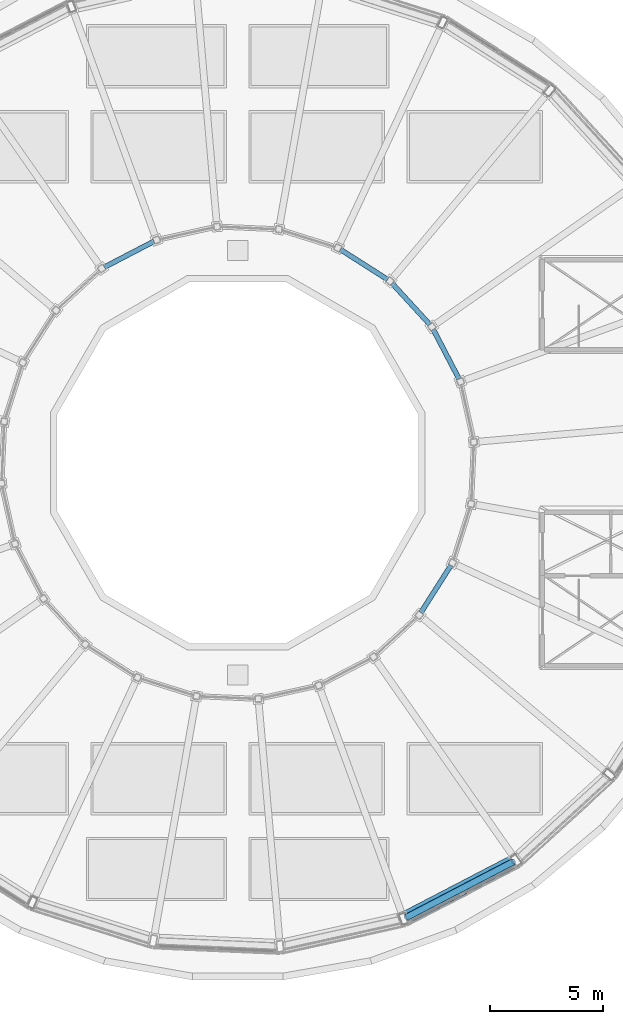
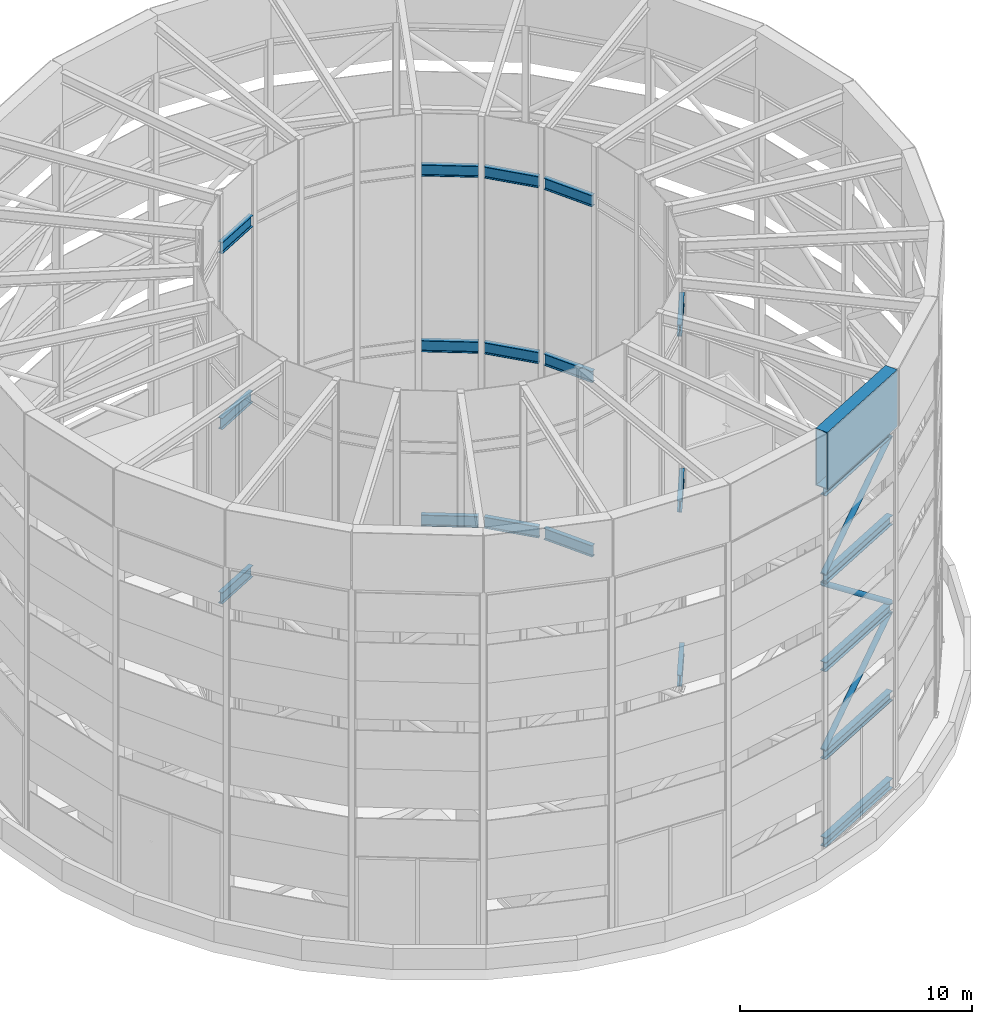
# One storey, part 7 of 20: 21 beams, 3 members.
"""IFC4 building model written with IfcOpenShell, lengths in metres."""

from ifc_helpers import new_model, si_unit, direction, frame, origin, origin_2d, place, context, subcontext, project, spatial, hollow_rectangle, hollow_circle, i_section, extrude, material, material_profile, profile_set, type_object, element, save


model = new_model("IFC4")

# Units and contexts
model_context = context("Model", 3, precision=1e-05, world=origin(), true_north=direction((0.0, 1.0)))
body_context = subcontext(model_context, "Body", "Model", "MODEL_VIEW")
ifc_project = project(units=[si_unit("LENGTHUNIT", "METRE"), si_unit("AREAUNIT", "SQUARE_METRE"), si_unit("VOLUMEUNIT", "CUBIC_METRE"), si_unit("PLANEANGLEUNIT", "RADIAN"), si_unit("MASSUNIT", "GRAM", prefix="KILO")], contexts=[model_context])

# Site, building, storey
site_placement = place(None, origin())
site = spatial("IfcSite", under=ifc_project, at=site_placement, CompositionType="ELEMENT")
building_placement = place(site_placement, origin())
building = spatial("IfcBuilding", under=site, at=building_placement, Name="Saqina Gate Tower", CompositionType="ELEMENT")
storey_placement = place(building_placement, frame((0.0, 0.0, 284.199951171875)))
storey = spatial("IfcBuildingStorey", under=building, at=storey_placement, Name="RF", CompositionType="ELEMENT", Elevation=284.199951171875)

# Beam
ifc_material_1 = material(Name="Steel S460", Category="steel")
ifc_material_profile_1 = material_profile(ifc_material_1, hollow_rectangle(XDim=0.60009765625, YDim=3.0, WallThickness=0.0400390625, at=origin_2d()), Name="BOX 600x3000x40")
ifc_profile_set_1 = profile_set([ifc_material_profile_1], Name="Steel S460")
beam_type_1 = type_object("IfcBeamType", Name="STR-CROWN CAP GIRDER-BOX 600x3000x40", PredefinedType="BEAM", material=ifc_profile_set_1)
beam_1_placement = place(storey_placement, frame((7.353515625, -20.203369140625, 20.5), z_axis=(0.887008743782, 0.461752626906, 0.0), x_axis=(-0.461752626906, 0.887008743782, 0.0)))
element("IfcBeam", 1, at=beam_1_placement, inside=storey, type_object=beam_type_1, Name="CROWN CAP GIRDER 20", PredefinedType="BEAM", context=body_context, shape_type="SweptSolid", body=[
    extrude(hollow_rectangle(XDim=0.60009765625, YDim=3.0, WallThickness=0.0400390625, at=origin_2d()), origin(), (0.0, 0.0, 1.0), 5.6123046875),
])

# Members
ifc_material_2 = material(Name="Steel S460", Category="steel")
ifc_material_profile_2 = material_profile(ifc_material_2, hollow_circle(Radius=0.136474609375, WallThickness=0.012451171875, at=origin_2d()), Name="CHS 273x12.5")
ifc_profile_set_2 = profile_set([ifc_material_profile_2], Name="Steel S460")
member_type = type_object("IfcMemberType", Name="STR-CROWN FRAME BRACE-CHS 273x12.5", PredefinedType="BRACE", material=ifc_profile_set_2)
for number, where, z_axis, x_axis, name in (
    (2, (7.469970703125, -20.142822265625, 5.113037109375), (0.700921995661, 0.364903517729, 0.612824427343), (-0.461775119226, 0.886997034529, 0.0), "CROWN FRAME BRACE 2-20"),
    (3, (12.21533203125, -17.67236328125, 9.738037109375), (-0.700921995661, -0.364903517729, 0.612824427343), (0.461775119226, -0.886997034529, 0.0), "CROWN FRAME BRACE 3-20"),
    (4, (7.469970703125, -20.142822265625, 14.363037109375), (0.700921995661, 0.364903517729, 0.612824427343), (-0.461775119226, 0.886997034529, 0.0), "CROWN FRAME BRACE 4-20"),
):
    element("IfcMember", number, at=place(storey_placement, frame(where, z_axis=z_axis, x_axis=x_axis)), inside=storey, type_object=member_type, Name=name, PredefinedType="BRACE", context=body_context, shape_type="SweptSolid", body=[
        extrude(hollow_circle(Radius=0.136474609375, WallThickness=0.012451171875, at=origin_2d()), origin(), (0.0, 0.0, 1.0), 6.770263671875),
    ])

# Beams
ifc_material_3 = material(Name="Steel S460", Category="steel")
ifc_material_profile_3 = material_profile(ifc_material_3, i_section(OverallWidth=0.219970703125, OverallDepth=0.60009765625, WebThickness=0.011962890625, FlangeThickness=0.01904296875, FilletRadius=0.02392578125, at=origin_2d()), Name="IPE 600")
ifc_profile_set_3 = profile_set([ifc_material_profile_3], Name="Steel S460")
beam_type_2 = type_object("IfcBeamType", Name="STR-CROWN RING BEAM INNER-IPE 600", PredefinedType="BEAM", material=ifc_profile_set_3)
beam_2_placement = place(storey_placement, frame((9.80615234375, 3.707763671875, 0.324951171875), z_axis=(-0.461811723388, 0.886977977258, 0.0), x_axis=(-0.886977977258, -0.461811723388, 0.0)))
element("IfcBeam", 5, at=beam_2_placement, inside=storey, type_object=beam_type_2, Name="CROWN RING BEAM INNER 1-02", PredefinedType="BEAM", context=body_context, shape_type="SweptSolid", body=[
    extrude(i_section(OverallWidth=0.219970703125, OverallDepth=0.60009765625, WebThickness=0.011962890625, FlangeThickness=0.01904296875, FilletRadius=0.02392578125, at=origin_2d()), origin(), (0.0, 0.0, 1.0), 2.478271484375),
])
beam_3_placement = place(storey_placement, frame((8.512451171875, 6.119384765625, 0.324951171875), z_axis=(-0.675604190614, 0.737264523509, 0.0), x_axis=(-0.737264523509, -0.675604190614, 0.0)))
element("IfcBeam", 6, at=beam_3_placement, inside=storey, type_object=beam_type_2, Name="CROWN RING BEAM INNER 1-03", PredefinedType="BEAM", context=body_context, shape_type="SweptSolid", body=[
    extrude(i_section(OverallWidth=0.219970703125, OverallDepth=0.60009765625, WebThickness=0.011962890625, FlangeThickness=0.01904296875, FilletRadius=0.02392578125, at=origin_2d()), origin(), (0.0, 0.0, 1.0), 2.478515625),
])
for number, where, z_axis, x_axis, name in (
    (7, (6.638427734375, 8.114013671875, 0.324951171875), (-0.843344949975, 0.537372585225, 0.0), (-0.537372585225, -0.843344949975, 0.0), "CROWN RING BEAM INNER 1-04"),
    (8, (-3.707763671875, 9.80615234375, 0.324951171875), (-0.886977977258, -0.461811723388, 0.0), (0.461811723388, -0.886977977258, 0.0), "CROWN RING BEAM INNER 1-08"),
    (9, (8.114013671875, -6.638427734375, 0.324951171875), (0.537372585225, 0.843344949975, 0.0), (-0.843344949975, 0.537372585225, 0.0), "CROWN RING BEAM INNER 1-22"),
    (10, (9.80615234375, 3.707763671875, 9.5), (-0.461811723388, 0.886977977258, 0.0), (-0.886977977258, -0.461811723388, 0.0), "CROWN RING BEAM INNER 3-02"),
):
    element("IfcBeam", number, at=place(storey_placement, frame(where, z_axis=z_axis, x_axis=x_axis)), inside=storey, type_object=beam_type_2, Name=name, PredefinedType="BEAM", context=body_context, shape_type="SweptSolid", body=[
        extrude(i_section(OverallWidth=0.219970703125, OverallDepth=0.60009765625, WebThickness=0.011962890625, FlangeThickness=0.01904296875, FilletRadius=0.02392578125, at=origin_2d()), origin(), (0.0, 0.0, 1.0), 2.478271484375),
    ])
beam_4_placement = place(storey_placement, frame((8.512451171875, 6.119384765625, 9.5), z_axis=(-0.675604190614, 0.737264523509, 0.0), x_axis=(-0.737264523509, -0.675604190614, 0.0)))
element("IfcBeam", 11, at=beam_4_placement, inside=storey, type_object=beam_type_2, Name="CROWN RING BEAM INNER 3-03", PredefinedType="BEAM", context=body_context, shape_type="SweptSolid", body=[
    extrude(i_section(OverallWidth=0.219970703125, OverallDepth=0.60009765625, WebThickness=0.011962890625, FlangeThickness=0.01904296875, FilletRadius=0.02392578125, at=origin_2d()), origin(), (0.0, 0.0, 1.0), 2.478515625),
])
for number, where, z_axis, x_axis, name in (
    (12, (6.638427734375, 8.114013671875, 9.5), (-0.843344949975, 0.537372585225, 0.0), (-0.537372585225, -0.843344949975, 0.0), "CROWN RING BEAM INNER 3-04"),
    (13, (-3.707763671875, 9.80615234375, 9.5), (-0.886977977258, -0.461811723388, 0.0), (0.461811723388, -0.886977977258, 0.0), "CROWN RING BEAM INNER 3-08"),
    (14, (8.114013671875, -6.638427734375, 9.5), (0.537372585225, 0.843344949975, 0.0), (-0.843344949975, 0.537372585225, 0.0), "CROWN RING BEAM INNER 3-22"),
    (15, (9.80615234375, 3.707763671875, 18.75), (-0.461811723388, 0.886977977258, 0.0), (-0.886977977258, -0.461811723388, 0.0), "CROWN RING BEAM INNER 5-02"),
):
    element("IfcBeam", number, at=place(storey_placement, frame(where, z_axis=z_axis, x_axis=x_axis)), inside=storey, type_object=beam_type_2, Name=name, PredefinedType="BEAM", context=body_context, shape_type="SweptSolid", body=[
        extrude(i_section(OverallWidth=0.219970703125, OverallDepth=0.60009765625, WebThickness=0.011962890625, FlangeThickness=0.01904296875, FilletRadius=0.02392578125, at=origin_2d()), origin(), (0.0, 0.0, 1.0), 2.478271484375),
    ])
beam_5_placement = place(storey_placement, frame((8.512451171875, 6.119384765625, 18.75), z_axis=(-0.675604190614, 0.737264523509, 0.0), x_axis=(-0.737264523509, -0.675604190614, 0.0)))
element("IfcBeam", 16, at=beam_5_placement, inside=storey, type_object=beam_type_2, Name="CROWN RING BEAM INNER 5-03", PredefinedType="BEAM", context=body_context, shape_type="SweptSolid", body=[
    extrude(i_section(OverallWidth=0.219970703125, OverallDepth=0.60009765625, WebThickness=0.011962890625, FlangeThickness=0.01904296875, FilletRadius=0.02392578125, at=origin_2d()), origin(), (0.0, 0.0, 1.0), 2.478515625),
])
for number, where, z_axis, x_axis, name in (
    (17, (6.638427734375, 8.114013671875, 18.75), (-0.843344949975, 0.537372585225, 0.0), (-0.537372585225, -0.843344949975, 0.0), "CROWN RING BEAM INNER 5-04"),
    (18, (-3.707763671875, 9.80615234375, 18.75), (-0.886977977258, -0.461811723388, 0.0), (0.461811723388, -0.886977977258, 0.0), "CROWN RING BEAM INNER 5-08"),
    (19, (8.114013671875, -6.638427734375, 18.75), (0.537372585225, 0.843344949975, 0.0), (-0.843344949975, 0.537372585225, 0.0), "CROWN RING BEAM INNER 5-22"),
):
    element("IfcBeam", number, at=place(storey_placement, frame(where, z_axis=z_axis, x_axis=x_axis)), inside=storey, type_object=beam_type_2, Name=name, PredefinedType="BEAM", context=body_context, shape_type="SweptSolid", body=[
        extrude(i_section(OverallWidth=0.219970703125, OverallDepth=0.60009765625, WebThickness=0.011962890625, FlangeThickness=0.01904296875, FilletRadius=0.02392578125, at=origin_2d()), origin(), (0.0, 0.0, 1.0), 2.478271484375),
    ])
ifc_material_4 = material(Name="Steel S460", Category="steel")
ifc_material_profile_4 = material_profile(ifc_material_4, i_section(OverallWidth=0.300048828125, OverallDepth=0.5, WebThickness=0.014404296875, FlangeThickness=0.028076171875, FilletRadius=0.027099609375, at=origin_2d()), Name="HE 500 B")
ifc_profile_set_4 = profile_set([ifc_material_profile_4], Name="Steel S460")
beam_type_3 = type_object("IfcBeamType", Name="STR-CROWN RING BEAM-HE 500 B", PredefinedType="BEAM", material=ifc_profile_set_4)
for number, where, z_axis, x_axis, name in (
    (20, (7.469970703125, -20.142822265625, 0.275146484375), (0.886997034529, 0.461775119226, 0.0), (-0.461775119226, 0.886997034529, 0.0), "CROWN RING BEAM 1-20"),
    (21, (7.469970703125, -20.142822265625, 4.875), (0.886997034529, 0.461775119226, 0.0), (-0.461775119226, 0.886997034529, 0.0), "CROWN RING BEAM 2-20"),
    (22, (7.469970703125, -20.142822265625, 9.5), (0.886997034529, 0.461775119226, 0.0), (-0.461775119226, 0.886997034529, 0.0), "CROWN RING BEAM 3-20"),
    (23, (7.469970703125, -20.142822265625, 14.125), (0.886997034529, 0.461775119226, 0.0), (-0.461775119226, 0.886997034529, 0.0), "CROWN RING BEAM 4-20"),
    (24, (7.469970703125, -20.142822265625, 18.75), (0.886997034529, 0.461775119226, 0.0), (-0.461775119226, 0.886997034529, 0.0), "CROWN RING BEAM 5-20"),
):
    element("IfcBeam", number, at=place(storey_placement, frame(where, z_axis=z_axis, x_axis=x_axis)), inside=storey, type_object=beam_type_3, Name=name, PredefinedType="BEAM", context=body_context, shape_type="SweptSolid", body=[
        extrude(i_section(OverallWidth=0.300048828125, OverallDepth=0.5, WebThickness=0.014404296875, FlangeThickness=0.028076171875, FilletRadius=0.027099609375, at=origin_2d()), origin(), (0.0, 0.0, 1.0), 5.349853515625),
    ])

save(model, "model.ifc")
